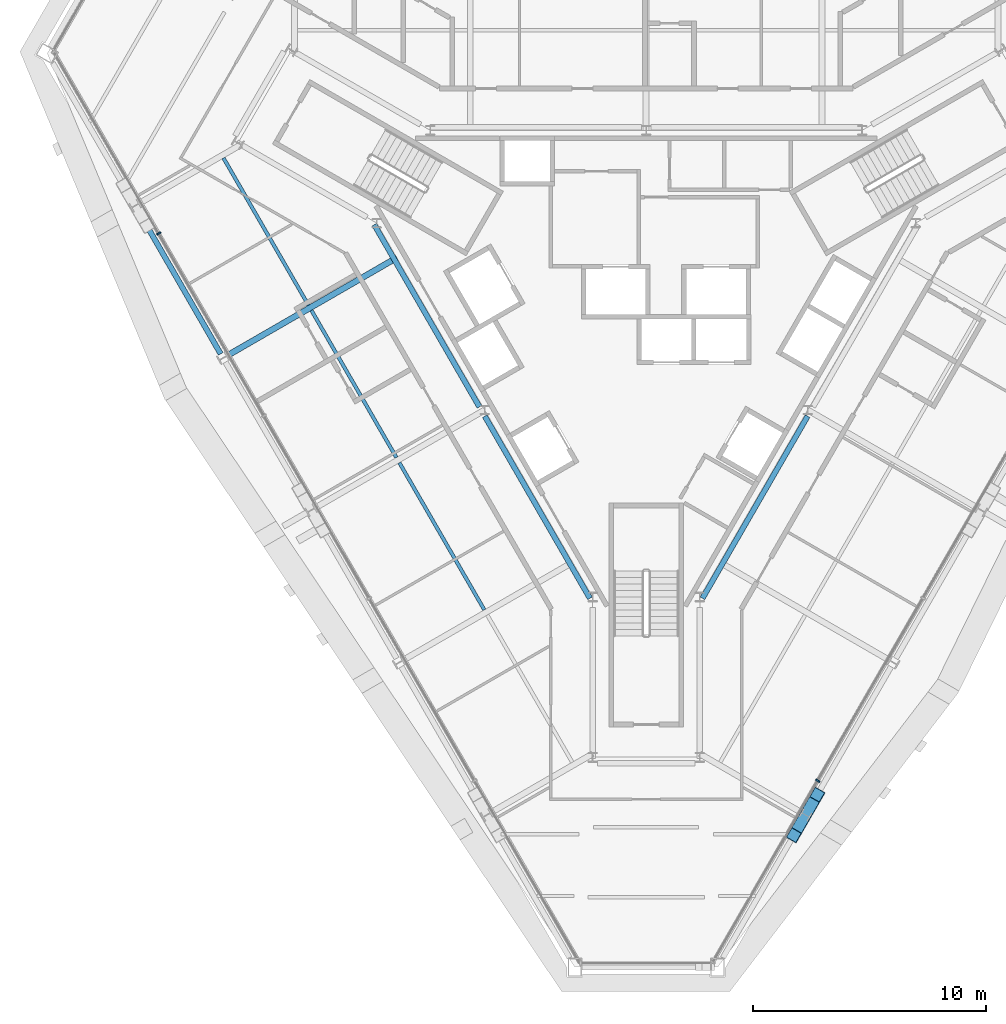
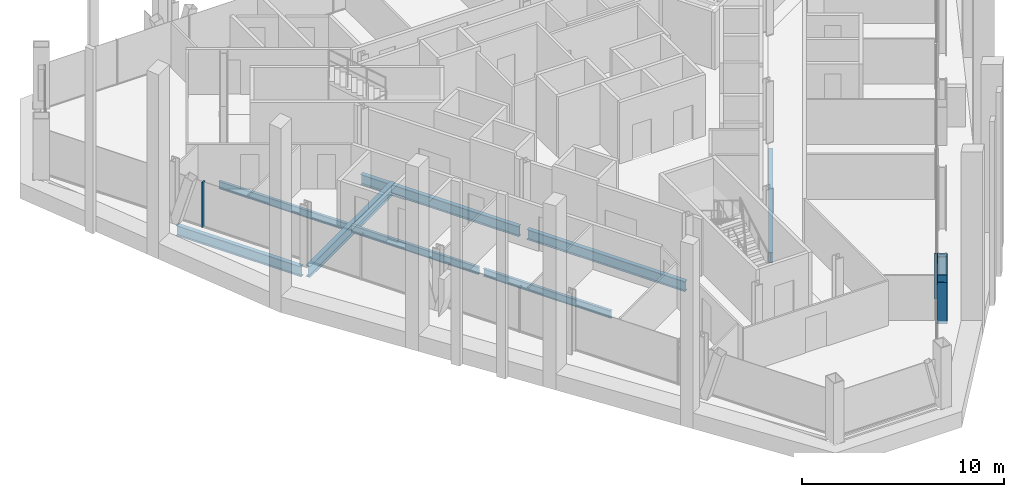
# One storey, part 3 of 14: 8 beams, 4 members, 2 elements without a shape of their own.
"""IFC4 building model written with IfcOpenShell, lengths in metres."""

from ifc_helpers import new_model, si_unit, direction, frame, origin, origin_2d, place, context, subcontext, project, spatial, rectangle, hollow_rectangle, i_section, extrude, material, material_profile, profile_set, type_object, element, aggregate, save


model = new_model("IFC4")

# Units and contexts
model_context = context("Model", 3, precision=1e-05, world=origin(), true_north=direction((0.0, 1.0)))
body_context = subcontext(model_context, "Body", "Model", "MODEL_VIEW")
ifc_project = project(units=[si_unit("LENGTHUNIT", "METRE"), si_unit("AREAUNIT", "SQUARE_METRE"), si_unit("VOLUMEUNIT", "CUBIC_METRE"), si_unit("PLANEANGLEUNIT", "RADIAN"), si_unit("MASSUNIT", "GRAM", prefix="KILO")], contexts=[model_context])

# Site, building, storey
site_placement = place(None, origin())
site = spatial("IfcSite", under=ifc_project, at=site_placement, CompositionType="ELEMENT")
building_placement = place(site_placement, origin())
building = spatial("IfcBuilding", under=site, at=building_placement, Name="Verrane Prism Tower", CompositionType="ELEMENT")
storey_placement = place(building_placement, frame((0.0, 0.0, 148.800048828125)))
storey = spatial("IfcBuildingStorey", under=building, at=storey_placement, Name="L36", CompositionType="ELEMENT", Elevation=148.800048828125)

# Beams
ifc_material_1 = material(Name="Steel A992", Category="steel")
ifc_material_profile_1 = material_profile(ifc_material_1, i_section(OverallWidth=0.23046875, OverallDepth=0.6171875, WebThickness=0.01318359375, FlangeThickness=0.022216796875, FilletRadius=0.012939453125, at=origin_2d()), Name="W24x94")
ifc_profile_set_1 = profile_set([ifc_material_profile_1], Name="Steel A992")
beam_type_1 = type_object("IfcBeamType", Name="Core ring girder W24x94", PredefinedType="BEAM", material=ifc_profile_set_1)
beam_1_placement = place(storey_placement, frame((-11.67041015625, 3.951416015625, -0.55859375), z_axis=(0.499903523941, -0.866081097099, 0.0), x_axis=(0.866081097099, 0.499903523941, 0.0)))
element("IfcBeam", 1, at=beam_1_placement, inside=storey, type_object=beam_type_1, Name="Core ring girder L36", PredefinedType="BEAM", context=body_context, shape_type="SweptSolid", body=[
    extrude(i_section(OverallWidth=0.23046875, OverallDepth=0.6171875, WebThickness=0.01318359375, FlangeThickness=0.022216796875, FilletRadius=0.012939453125, at=origin_2d()), origin(), (0.0, 0.0, 1.0), 9.026123046875),
])
for number, where, z_axis, x_axis, name in (
    (2, (-6.92822265625, -4.264892578125, -0.55859375), (0.499996383721, -0.866027491634, 0.0), (0.866027491634, 0.499996383721, 0.0), "Core ring girder L36"),
    (3, (2.4150390625, -12.08203125, -0.55859375), (0.499996383721, 0.866027491634, 0.0), (-0.866027491634, 0.499996383721, 0.0), "Core ring girder L36"),
):
    element("IfcBeam", number, at=place(storey_placement, frame(where, z_axis=z_axis, x_axis=x_axis)), inside=storey, type_object=beam_type_1, Name=name, PredefinedType="BEAM", context=body_context, shape_type="SweptSolid", body=[
        extrude(i_section(OverallWidth=0.23046875, OverallDepth=0.6171875, WebThickness=0.01318359375, FlangeThickness=0.022216796875, FilletRadius=0.012939453125, at=origin_2d()), origin(), (0.0, 0.0, 1.0), 9.0263671875),
    ])

# Members
ifc_material_2 = material(Name="Steel A500 Grade C", Category="steel")
ifc_material_profile_2 = material_profile(ifc_material_2, hollow_rectangle(XDim=0.508056640625, YDim=0.508056640625, WallThickness=0.01904296875, InnerFilletRadius=0.009521484375, OuterFilletRadius=0.028564453125, at=origin_2d()), Name="HSS20x20x3/4")
ifc_profile_set_2 = profile_set([ifc_material_profile_2], Name="Steel A500 Grade C")
member_type_1 = type_object("IfcMemberType", Name="Facade brace HSS20x20x3/4", PredefinedType="BRACE", material=ifc_profile_set_2)
member_1_placement = place(storey_placement, frame((6.796630859375, -21.454833984375, -0.171630859375), z_axis=(-0.14006879057, -0.242051962036, 0.960099776889), x_axis=(0.865529462177, -0.500858013915, 0.0)))
element("IfcMember", 4, at=member_1_placement, inside=storey, type_object=member_type_1, Name="Facade brace SE0 L36", PredefinedType="BRACE", context=body_context, shape_type="SweptSolid", body=[
    extrude(hollow_rectangle(XDim=0.508056640625, YDim=0.508056640625, WallThickness=0.01904296875, InnerFilletRadius=0.009521484375, OuterFilletRadius=0.028564453125, at=origin_2d()), origin(), (0.0, 0.0, 1.0), 3.281982421875),
])
member_2_placement = place(storey_placement, frame((6.88330078125, -21.304931640625, -0.171630859375), z_axis=(0.139691542891, 0.242414663621, 0.960063229015), x_axis=(-0.866437762351, 0.49928509288, 0.0)))
element("IfcMember", 5, at=member_2_placement, inside=storey, type_object=member_type_1, Name="Facade brace SE1 L36", PredefinedType="BRACE", context=body_context, shape_type="SweptSolid", body=[
    extrude(hollow_rectangle(XDim=0.508056640625, YDim=0.508056640625, WallThickness=0.01904296875, InnerFilletRadius=0.009521484375, OuterFilletRadius=0.028564453125, at=origin_2d()), origin(), (0.0, 0.0, 1.0), 3.2822265625),
])

# Beams
ifc_material_3 = material(Name="Steel A992", Category="steel")
ifc_material_profile_3 = material_profile(ifc_material_3, i_section(OverallWidth=0.15234375, OverallDepth=0.449462890625, WebThickness=0.007568359375, FlangeThickness=0.0107421875, FilletRadius=0.01025390625, at=origin_2d()), Name="W18x35")
ifc_profile_set_3 = profile_set([ifc_material_profile_3], Name="Steel A992")
beam_type_2 = type_object("IfcBeamType", Name="Floor beam W18x35", PredefinedType="BEAM", material=ifc_profile_set_3)
beam_2_placement = place(storey_placement, frame((-14.493408203125, 0.4951171875, -0.384765625), z_axis=(-0.50001111627, 0.866018985708, 0.0), x_axis=(-0.866018985708, -0.50001111627, 0.0)))
element("IfcBeam", 6, at=beam_2_placement, inside=storey, type_object=beam_type_2, Name="Floor beam L36", PredefinedType="BEAM", context=body_context, shape_type="SweptSolid", body=[
    extrude(i_section(OverallWidth=0.15234375, OverallDepth=0.449462890625, WebThickness=0.007568359375, FlangeThickness=0.0107421875, FilletRadius=0.01025390625, at=origin_2d()), origin(), (0.0, 0.0, 1.0), 7.296630859375),
])
beam_3_placement = place(storey_placement, frame((-10.719970703125, -6.041015625, -0.384765625), z_axis=(-0.499998707891, 0.866026149782, 0.0), x_axis=(-0.866026149782, -0.499998707891, 0.0)))
element("IfcBeam", 7, at=beam_3_placement, inside=storey, type_object=beam_type_2, Name="Floor beam L36", PredefinedType="BEAM", context=body_context, shape_type="SweptSolid", body=[
    extrude(i_section(OverallWidth=0.15234375, OverallDepth=0.449462890625, WebThickness=0.007568359375, FlangeThickness=0.0107421875, FilletRadius=0.01025390625, at=origin_2d()), origin(), (0.0, 0.0, 1.0), 7.29296875),
])
beam_4_placement = place(storey_placement, frame((-6.9462890625, -12.57861328125, -0.384765625), z_axis=(-0.500012159746, 0.866018383238, 0.0), x_axis=(-0.866018383238, -0.500012159746, 0.0)))
element("IfcBeam", 8, at=beam_4_placement, inside=storey, type_object=beam_type_2, Name="Floor beam L36", PredefinedType="BEAM", context=body_context, shape_type="SweptSolid", body=[
    extrude(i_section(OverallWidth=0.15234375, OverallDepth=0.449462890625, WebThickness=0.007568359375, FlangeThickness=0.0107421875, FilletRadius=0.01025390625, at=origin_2d()), origin(), (0.0, 0.0, 1.0), 7.294677734375),
])

# Curtain wall, member
ifc_material_4 = material(Name="Aluminium framed insulated glazing", Category="aluminium")
curtain_wall_type = type_object("IfcCurtainWallType", Name="Curtain wall CW-A 8400 module", PredefinedType="NOTDEFINED", material=ifc_material_4)
curtain_wall_1_placement = place(storey_placement, origin())
curtain_wall_1 = element("IfcCurtainWall", 9, at=curtain_wall_1_placement, inside=storey, type_object=curtain_wall_type, Name="Glazed curtain wall south-west face L36", PredefinedType="NOTDEFINED")
ifc_material_5 = material(Name="Aluminium alloy 6063-T6", Category="aluminium")
ifc_material_profile_4 = material_profile(ifc_material_5, rectangle(XDim=0.199951171875, YDim=0.070068359375, at=origin_2d()), Name="Mullion 70x200 aluminium")
ifc_profile_set_4 = profile_set([ifc_material_profile_4], Name="Aluminium alloy 6063-T6")
member_type_2 = type_object("IfcMemberType", Name="Mullion 70x200 aluminium", PredefinedType="MULLION", material=ifc_profile_set_4)
member_3_placement = place(storey_placement, frame((-20.923095703125, 3.57763671875, 0.0), z_axis=(0.0, 0.0, 1.0), x_axis=(0.866025097191, 0.500000531035, 0.0)))
member_3 = element("IfcMember", 10, at=member_3_placement, type_object=member_type_2, Name="CW36.4 mullion 2", PredefinedType="MULLION", context=body_context, shape_type="SweptSolid", body=[
    extrude(rectangle(XDim=0.199951171875, YDim=0.070068359375, at=origin_2d()), origin(), (0.0, 0.0, 1.0), 2.712890625),
])
aggregate(curtain_wall_1, [member_3])

curtain_wall_2_placement = place(storey_placement, origin())
curtain_wall_2 = element("IfcCurtainWall", 11, at=curtain_wall_2_placement, inside=storey, type_object=curtain_wall_type, Name="Glazed curtain wall south-east face L36", PredefinedType="NOTDEFINED")
member_4_placement = place(storey_placement, frame((7.36328125, -19.90869140625, 0.0), z_axis=(0.0, 0.0, 1.0), x_axis=(-0.866025097191, 0.500000531035, 0.0)))
member_4 = element("IfcMember", 12, at=member_4_placement, type_object=member_type_2, Name="CW36.6 mullion 2", PredefinedType="MULLION", context=body_context, shape_type="SweptSolid", body=[
    extrude(rectangle(XDim=0.199951171875, YDim=0.070068359375, at=origin_2d()), origin(), (0.0, 0.0, 1.0), 2.712890625),
])
aggregate(curtain_wall_2, [member_4])

# Beams
ifc_material_6 = material(Name="Steel A992", Category="steel")
ifc_material_profile_5 = material_profile(ifc_material_6, i_section(OverallWidth=0.25390625, OverallDepth=0.683349609375, WebThickness=0.012451171875, FlangeThickness=0.01904296875, FilletRadius=0.01513671875, at=origin_2d()), Name="W27x94")
ifc_profile_set_5 = profile_set([ifc_material_profile_5], Name="Steel A992")
beam_type_3 = type_object("IfcBeamType", Name="Radial girder W27x94", PredefinedType="BEAM", material=ifc_profile_set_5)
beam_5_placement = place(storey_placement, frame((-17.971923828125, -1.661376953125, -0.561767578125), z_axis=(0.866025742774, 0.499999412853, 0.0), x_axis=(-0.499999412853, 0.866025742774, 0.0)))
element("IfcBeam", 13, at=beam_5_placement, inside=storey, type_object=beam_type_3, Name="Radial girder L36", PredefinedType="BEAM", context=body_context, shape_type="SweptSolid", body=[
    extrude(i_section(OverallWidth=0.25390625, OverallDepth=0.683349609375, WebThickness=0.012451171875, FlangeThickness=0.01904296875, FilletRadius=0.01513671875, at=origin_2d()), origin(), (0.0, 0.0, 1.0), 8.3935546875),
])
ifc_material_7 = material(Name="Steel A992", Category="steel")
ifc_material_profile_6 = material_profile(ifc_material_7, i_section(OverallWidth=0.23046875, OverallDepth=0.6171875, WebThickness=0.01318359375, FlangeThickness=0.022216796875, FilletRadius=0.012939453125, at=origin_2d()), Name="W24x94")
ifc_profile_set_6 = profile_set([ifc_material_profile_6], Name="Steel A992")
beam_type_4 = type_object("IfcBeamType", Name="Spandrel beam W24x94", PredefinedType="SPANDREL", material=ifc_profile_set_6)
beam_6_placement = place(storey_placement, frame((-21.827392578125, 4.591796875, -0.46875), z_axis=(0.499432230493, -0.866352957601, 0.0), x_axis=(0.866352957601, 0.499432230493, 0.0)))
element("IfcBeam", 14, at=beam_6_placement, inside=storey, type_object=beam_type_4, Name="Spandrel beam L36", PredefinedType="SPANDREL", context=body_context, shape_type="SweptSolid", body=[
    extrude(i_section(OverallWidth=0.23046875, OverallDepth=0.6171875, WebThickness=0.01318359375, FlangeThickness=0.022216796875, FilletRadius=0.012939453125, at=origin_2d()), origin(), (0.0, 0.0, 1.0), 7.137451171875),
])

save(model, "model.ifc")
